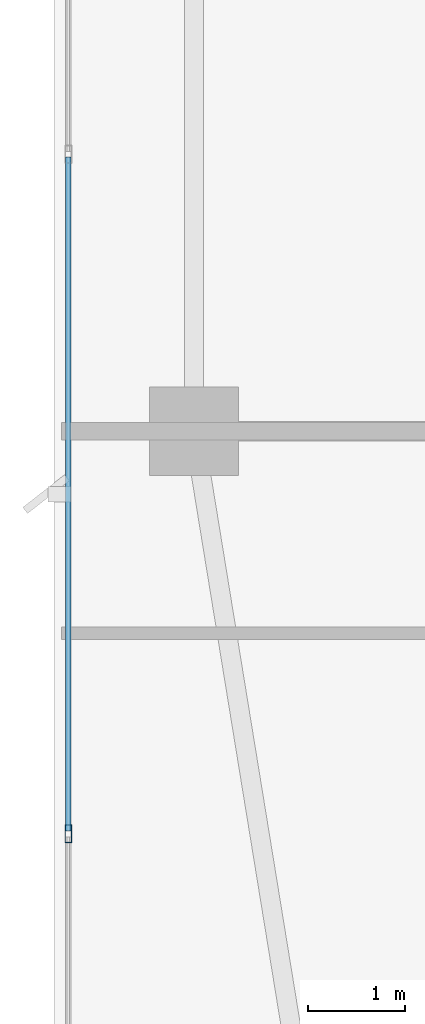
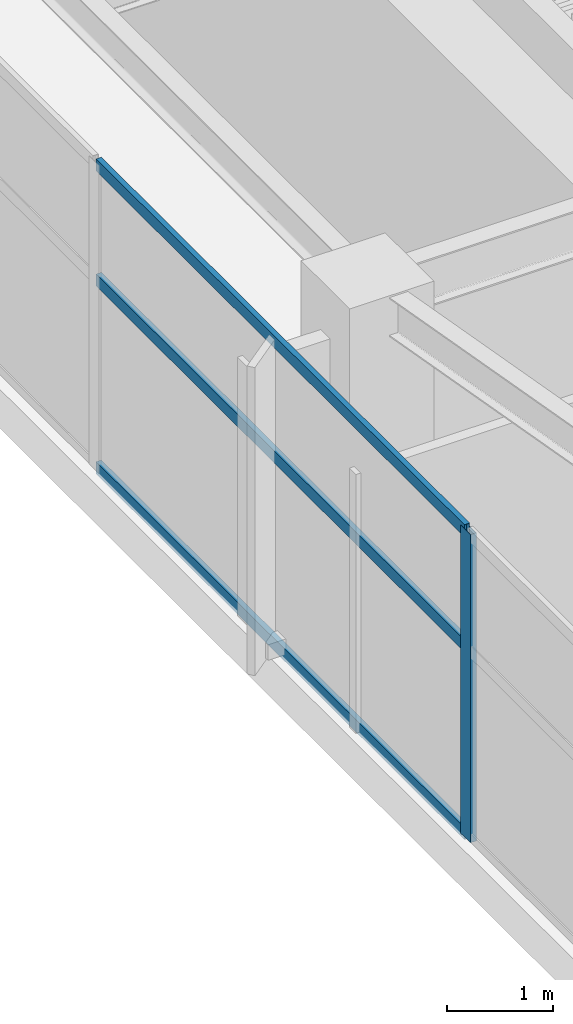
# One storey, part 4 of 28: 4 members, 1 element without a shape of its own.
"""IFC4 building model written with IfcOpenShell, lengths in metres."""

from ifc_helpers import new_model, si_unit, direction, frame, origin, origin_2d, place, context, subcontext, project, spatial, hollow_rectangle, extrude, material, layer, layer_set, material_profile, profile_set, type_object, element, aggregate, save


model = new_model("IFC4")

# Units and contexts
model_context = context("Model", 3, precision=1e-05, world=origin(), true_north=direction((0.0, 1.0)))
body_context = subcontext(model_context, "Body", "Model", "MODEL_VIEW")
ifc_project = project(units=[si_unit("LENGTHUNIT", "METRE"), si_unit("AREAUNIT", "SQUARE_METRE"), si_unit("VOLUMEUNIT", "CUBIC_METRE"), si_unit("PLANEANGLEUNIT", "RADIAN"), si_unit("MASSUNIT", "GRAM", prefix="KILO")], contexts=[model_context])

# Site, building, storey
site_placement = place(None, origin())
site = spatial("IfcSite", under=ifc_project, at=site_placement, CompositionType="ELEMENT")
building_placement = place(site_placement, origin())
building = spatial("IfcBuilding", under=site, at=building_placement, Name="Calvorn Quay Hotel", CompositionType="ELEMENT")
storey_placement = place(building_placement, frame((0.0, 0.0, 243.800048828125)))
storey = spatial("IfcBuildingStorey", under=building, at=storey_placement, Name="L60", CompositionType="ELEMENT", Elevation=243.800048828125)

# Curtain wall, members
ifc_material_1 = material(Name="Champagne Bronze Anodised Aluminium and Low-E Glass", Category="aluminium")
ifc_layer = layer(ifc_material_1, 0.219970703125)
ifc_layer_set = layer_set([ifc_layer], Name="CW-SYS-Z3")
curtain_wall_type = type_object("IfcCurtainWallType", Name="CW-SYS-Z3", PredefinedType="NOTDEFINED", material=ifc_layer_set)
curtain_wall_placement = place(storey_placement, origin())
curtain_wall = element("IfcCurtainWall", 1, at=curtain_wall_placement, inside=storey, type_object=curtain_wall_type, Name="Tower West Curtain Wall (L60)", PredefinedType="NOTDEFINED")
ifc_material_2 = material(Name="Champagne Bronze Anodised Aluminium 6063-T6", Category="aluminium")
ifc_material_profile_1 = material_profile(ifc_material_2, hollow_rectangle(XDim=0.068115234375, YDim=0.18505859375, WallThickness=0.00390625, at=origin_2d()), Name="ALU-M185x68x4")
ifc_profile_set_1 = profile_set([ifc_material_profile_1], Name="Champagne Bronze Anodised Aluminium 6063-T6")
member_type_1 = type_object("IfcMemberType", Name="CW-SYS-Z3-MUL", PredefinedType="MULLION", material=ifc_profile_set_1)
member_1_placement = place(storey_placement, frame((0.14990234375, 12.63330078125, 0.0), z_axis=(0.0, 0.0, 1.0), x_axis=(-1.0, 0.0, 0.0)))
member_1 = element("IfcMember", 2, at=member_1_placement, type_object=member_type_1, Name="CW-L60-W mullion 2", PredefinedType="MULLION", context=body_context, shape_type="SweptSolid", body=[
    extrude(hollow_rectangle(XDim=0.068115234375, YDim=0.18505859375, WallThickness=0.00390625, at=origin_2d()), origin(), (0.0, 0.0, 1.0), 3.56005859375),
])
ifc_material_3 = material(Name="Champagne Bronze Anodised Aluminium 6063-T6", Category="aluminium")
ifc_material_profile_2 = material_profile(ifc_material_3, hollow_rectangle(XDim=0.05810546875, YDim=0.139892578125, WallThickness=0.003173828125, at=origin_2d()), Name="ALU-T140x58x3.2")
ifc_profile_set_2 = profile_set([ifc_material_profile_2], Name="Champagne Bronze Anodised Aluminium 6063-T6")
member_type_2 = type_object("IfcMemberType", Name="CW-SYS-Z3-TRN", PredefinedType="USERDEFINED", material=ifc_profile_set_2)
member_2_placement = place(storey_placement, frame((0.14990234375, 12.663330078125, 0.030029296875), z_axis=(0.0, 1.0, 0.0), x_axis=(-1.0, 0.0, 0.0)))
member_2 = element("IfcMember", 3, at=member_2_placement, type_object=member_type_2, Name="CW-L60-W transom 2.1", ObjectType="TRANSOM", PredefinedType="USERDEFINED", context=body_context, shape_type="SweptSolid", body=[
    extrude(hollow_rectangle(XDim=0.05810546875, YDim=0.139892578125, WallThickness=0.003173828125, at=origin_2d()), origin(), (0.0, 0.0, 1.0), 6.973388671875),
])
member_3_placement = place(storey_placement, frame((0.14990234375, 12.663330078125, 2.199951171875), z_axis=(0.0, 1.0, 0.0), x_axis=(-1.0, 0.0, 0.0)))
member_3 = element("IfcMember", 4, at=member_3_placement, type_object=member_type_2, Name="CW-L60-W transom 2.2", ObjectType="TRANSOM", PredefinedType="USERDEFINED", context=body_context, shape_type="SweptSolid", body=[
    extrude(hollow_rectangle(XDim=0.05810546875, YDim=0.139892578125, WallThickness=0.003173828125, at=origin_2d()), origin(), (0.0, 0.0, 1.0), 6.973388671875),
])
member_4_placement = place(storey_placement, frame((0.14990234375, 12.663330078125, 3.530029296875), z_axis=(0.0, 1.0, 0.0), x_axis=(-1.0, 0.0, 0.0)))
member_4 = element("IfcMember", 5, at=member_4_placement, type_object=member_type_2, Name="CW-L60-W transom 2.3", ObjectType="TRANSOM", PredefinedType="USERDEFINED", context=body_context, shape_type="SweptSolid", body=[
    extrude(hollow_rectangle(XDim=0.05810546875, YDim=0.139892578125, WallThickness=0.003173828125, at=origin_2d()), origin(), (0.0, 0.0, 1.0), 6.973388671875),
])
aggregate(curtain_wall, [member_1, member_2, member_3, member_4])

save(model, "model.ifc")
